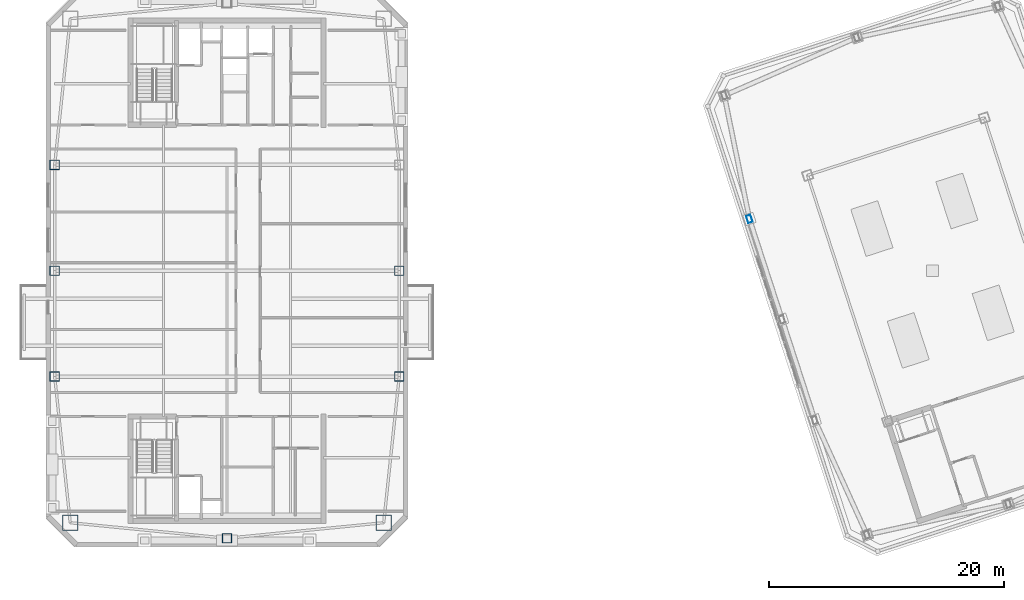
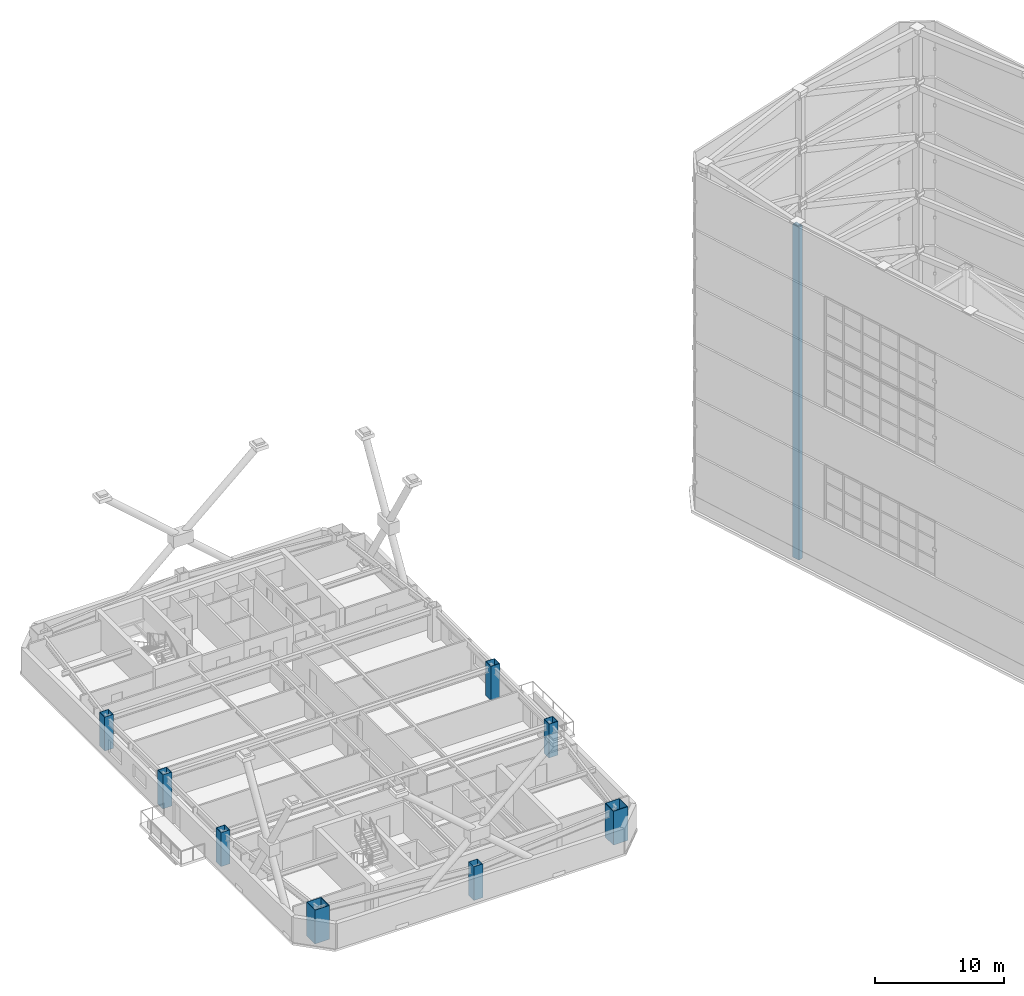
# One storey, part 1 of 56: 9 columns.
"""IFC4 building model written with IfcOpenShell, lengths in metres."""

from ifc_helpers import new_model, si_unit, direction, frame, origin, origin_2d, place, context, subcontext, project, spatial, hollow_rectangle, extrude, material, material_profile, profile_set, type_object, element, save


model = new_model("IFC4")

# Units and contexts
model_context = context("Model", 3, precision=1e-05, world=origin(), true_north=direction((0.0, 1.0)))
body_context = subcontext(model_context, "Body", "Model", "MODEL_VIEW")
ifc_project = project(units=[si_unit("LENGTHUNIT", "METRE"), si_unit("AREAUNIT", "SQUARE_METRE"), si_unit("VOLUMEUNIT", "CUBIC_METRE"), si_unit("PLANEANGLEUNIT", "RADIAN"), si_unit("MASSUNIT", "GRAM", prefix="KILO")], contexts=[model_context])

# Site, building, storey
site_placement = place(None, origin())
site = spatial("IfcSite", under=ifc_project, at=site_placement, CompositionType="ELEMENT")
building_placement = place(site_placement, origin())
building = spatial("IfcBuilding", under=site, at=building_placement, Name="Qiaolan Cultural Towers", CompositionType="ELEMENT")
storey_placement = place(building_placement, frame((0.0, 0.0, 250.39990234375)))
storey = spatial("IfcBuildingStorey", under=building, at=storey_placement, Name="L68", CompositionType="ELEMENT", Elevation=250.39990234375)

# Columns
ifc_material_1 = material(Name="Steel Q390GJB", Category="steel")
ifc_material_profile_1 = material_profile(ifc_material_1, hollow_rectangle(XDim=1.300048828125, YDim=1.300048828125, WallThickness=0.044921875, at=origin_2d()), Name="BOX1300x1300x45")
ifc_profile_set_1 = profile_set([ifc_material_profile_1], Name="Steel Q390GJB")
column_type_1 = type_object("IfcColumnType", Name="COL-BOX1300x1300x45", PredefinedType="COLUMN", material=ifc_profile_set_1)
for number, where, z_axis, x_axis, name in (
    (1, (16.669921875, 12.570068359375, 0.0), (0.0, 0.0, 1.0), (1.0, 0.0, 0.0), "L68 T1 Perimeter Column MC-SW"),
    (2, (43.330078125, 12.570068359375, 0.0), (0.0, 0.0, 1.0), (1.0, 0.0, 0.0), "L68 T1 Perimeter Column MC-SE"),
):
    element("IfcColumn", number, at=place(storey_placement, frame(where, z_axis=z_axis, x_axis=x_axis)), inside=storey, type_object=column_type_1, Name=name, PredefinedType="COLUMN", context=body_context, shape_type="SweptSolid", body=[
        extrude(hollow_rectangle(XDim=1.300048828125, YDim=1.300048828125, WallThickness=0.044921875, at=origin_2d()), origin(), (0.0, 0.0, 1.0), 3.201171875),
    ])
ifc_material_2 = material(Name="Steel Q355B", Category="steel")
ifc_material_profile_2 = material_profile(ifc_material_2, hollow_rectangle(XDim=0.800048828125, YDim=0.800048828125, WallThickness=0.028076171875, at=origin_2d()), Name="BOX800x800x28")
ifc_profile_set_2 = profile_set([ifc_material_profile_2], Name="Steel Q355B")
column_type_2 = type_object("IfcColumnType", Name="COL-BOX800x800x28", PredefinedType="COLUMN", material=ifc_profile_set_2)
for number, where, z_axis, x_axis, name in (
    (3, (15.35009765625, 25.0, 0.0), (0.0, 0.0, 1.0), (1.0, 0.0, 0.0), "L68 T1 Perimeter Column PC-W1"),
    (4, (15.35009765625, 34.0, 0.0), (0.0, 0.0, 1.0), (1.0, 0.0, 0.0), "L68 T1 Perimeter Column PC-W2"),
    (5, (15.35009765625, 43.0, 0.0), (0.0, 0.0, 1.0), (1.0, 0.0, 0.0), "L68 T1 Perimeter Column PC-W3"),
    (6, (44.64990234375, 25.0, 0.0), (0.0, 0.0, 1.0), (1.0, 0.0, 0.0), "L68 T1 Perimeter Column PC-E1"),
    (7, (44.64990234375, 34.0, 0.0), (0.0, 0.0, 1.0), (1.0, 0.0, 0.0), "L68 T1 Perimeter Column PC-E2"),
    (8, (30.0, 11.25, 0.0), (0.0, 0.0, 1.0), (1.0, 0.0, 0.0), "L68 T1 Perimeter Column PC-S0"),
):
    element("IfcColumn", number, at=place(storey_placement, frame(where, z_axis=z_axis, x_axis=x_axis)), inside=storey, type_object=column_type_2, Name=name, PredefinedType="COLUMN", context=body_context, shape_type="SweptSolid", body=[
        extrude(hollow_rectangle(XDim=0.800048828125, YDim=0.800048828125, WallThickness=0.028076171875, at=origin_2d()), origin(), (0.0, 0.0, 1.0), 3.201171875),
    ])
ifc_material_3 = material(Name="Steel Q355B", Category="steel")
ifc_material_profile_3 = material_profile(ifc_material_3, hollow_rectangle(XDim=0.39990234375, YDim=0.64990234375, WallThickness=0.02001953125, at=origin_2d()), Name="BOX650x400x20")
ifc_profile_set_3 = profile_set([ifc_material_profile_3], Name="Steel Q355B")
column_type_3 = type_object("IfcColumnType", Name="COL-CROWN-FRAME-11", PredefinedType="COLUMN", material=ifc_profile_set_3)
column_placement = place(storey_placement, frame((74.42724609375, 38.4033203125, 0.0), z_axis=(0.0, 0.0, 1.0), x_axis=(0.951056516295, 0.309016994375, 0.0)))
element("IfcColumn", 9, at=column_placement, inside=storey, type_object=column_type_3, Name="T2 Crown Frame Post 11 (CROWN FRAME)", PredefinedType="COLUMN", context=body_context, shape_type="SweptSolid", body=[
    extrude(hollow_rectangle(XDim=0.39990234375, YDim=0.64990234375, WallThickness=0.02001953125, at=origin_2d()), origin(), (0.0, 0.0, 1.0), 31.47509765625),
])

save(model, "model.ifc")
